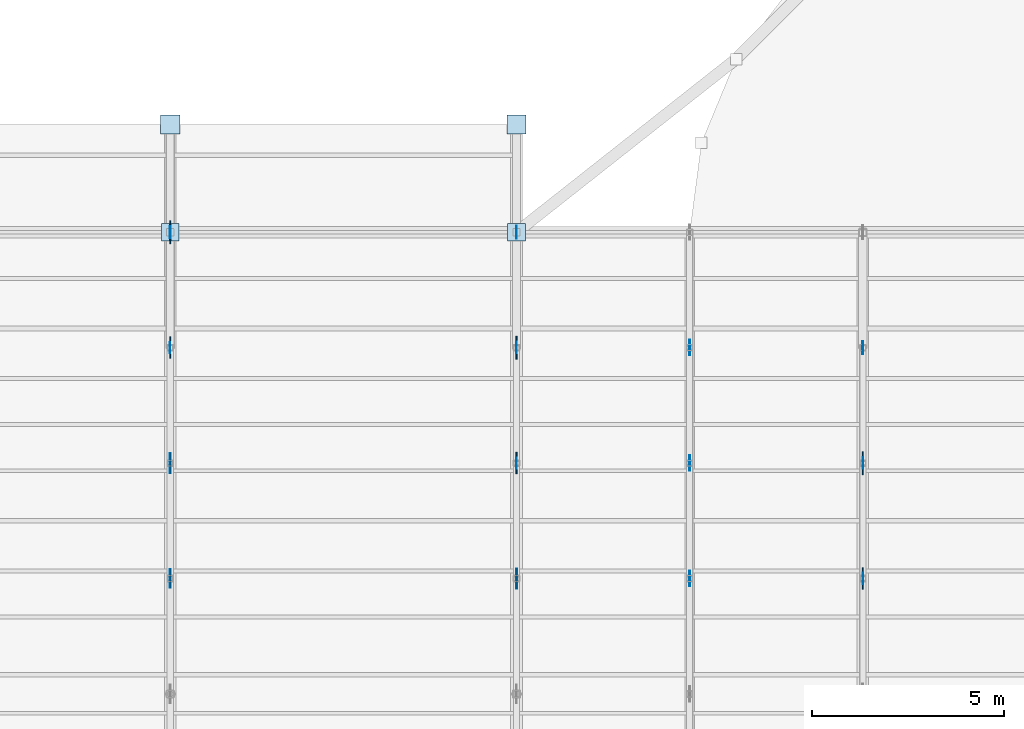
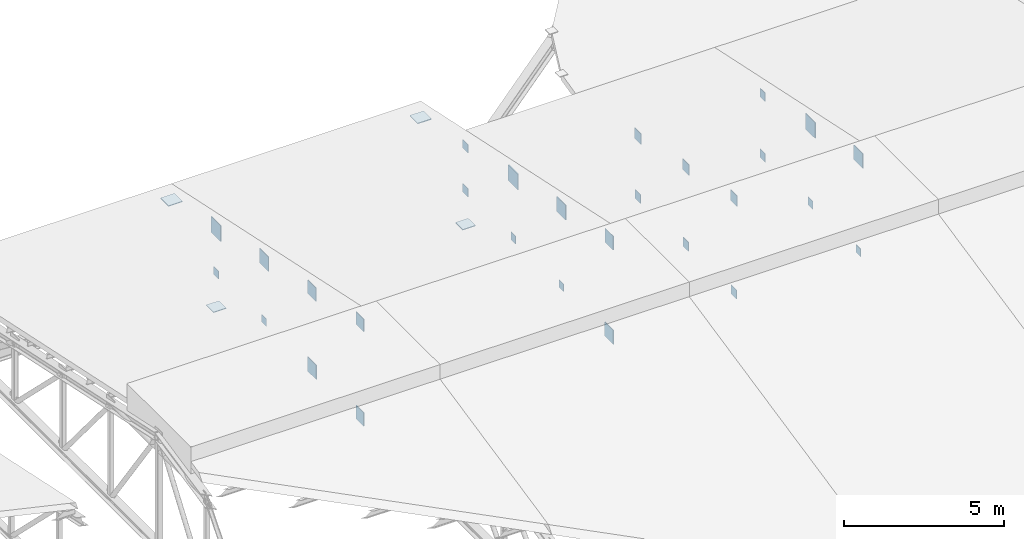
# One storey, part 38 of 43: 32 plates.
"""IFC4 building model written with IfcOpenShell, lengths in metres."""

from ifc_helpers import new_model, si_unit, direction, frame, origin, origin_2d, place, context, subcontext, project, spatial, rectangle, extrude, material, layer, layer_set, type_object, element, save


model = new_model("IFC4")

# Units and contexts
model_context = context("Model", 3, precision=1e-05, world=origin(), true_north=direction((0.0, 1.0)))
body_context = subcontext(model_context, "Body", "Model", "MODEL_VIEW")
ifc_project = project(units=[si_unit("LENGTHUNIT", "METRE"), si_unit("AREAUNIT", "SQUARE_METRE"), si_unit("VOLUMEUNIT", "CUBIC_METRE"), si_unit("PLANEANGLEUNIT", "RADIAN"), si_unit("MASSUNIT", "GRAM", prefix="KILO")], contexts=[model_context])

# Site, building, storey
site_placement = place(None, origin())
site = spatial("IfcSite", under=ifc_project, at=site_placement, CompositionType="ELEMENT")
building_placement = place(site_placement, origin())
building = spatial("IfcBuilding", under=site, at=building_placement, Name="Serraforn Aerial Cableway Station", CompositionType="ELEMENT")
storey_placement = place(building_placement, frame((0.0, 0.0, 18.300048828125)))
storey = spatial("IfcBuildingStorey", under=building, at=storey_placement, Name="RF", CompositionType="ELEMENT", Elevation=18.300048828125)

# Plates
ifc_material = material(Name="Steel S355J2", Category="steel")
ifc_layer_1 = layer(ifc_material, 0.014892578125)
ifc_layer_set_1 = layer_set([ifc_layer_1], Name="Steel S355J2")
plate_type_1 = type_object("IfcPlateType", Name="PLT-CAP-15", PredefinedType="USERDEFINED", material=ifc_layer_set_1)
for number, where, z_axis, x_axis, name in (
    (1, (36.60009765625, 39.0, -1.4951171875), (0.0, 0.0, 1.0), (1.0, 0.0, 0.0), "Truss Bottom Node Cap TR-02-8"),
    (2, (45.60009765625, 36.0, -1.4951171875), (0.0, 0.0, 1.0), (1.0, 0.0, 0.0), "Truss Bottom Node Cap TR-03-7"),
    (3, (54.60009765625, 33.0, -1.4951171875), (0.0, 0.0, 1.0), (1.0, 0.0, 0.0), "Truss Bottom Node Cap TR-04-6"),
):
    element("IfcPlate", number, at=place(storey_placement, frame(where, z_axis=z_axis, x_axis=x_axis)), inside=storey, type_object=plate_type_1, Name=name, ObjectType="CAP PLATE", PredefinedType="USERDEFINED", context=body_context, shape_type="SweptSolid", body=[
        extrude(rectangle(XDim=0.014892578125, YDim=0.2900390625, at=origin_2d()), origin(), (0.0, 0.0, 1.0), 0.2900390625),
    ])
ifc_layer_2 = layer(ifc_material, 0.01611328125)
ifc_layer_set_2 = layer_set([ifc_layer_2], Name="Steel S355J2")
plate_type_2 = type_object("IfcPlateType", Name="PLT-CAP-16", PredefinedType="USERDEFINED", material=ifc_layer_set_2)
for number, where, z_axis, x_axis, name in (
    (4, (36.60009765625, 42.0, -1.5), (0.0, 0.0, 1.0), (1.0, 0.0, 0.0), "Truss Bottom Node Cap TR-02-9"),
    (5, (45.60009765625, 39.0, -1.5), (0.0, 0.0, 1.0), (1.0, 0.0, 0.0), "Truss Bottom Node Cap TR-03-8"),
    (6, (54.60009765625, 36.0, -1.5), (0.0, 0.0, 1.0), (1.0, 0.0, 0.0), "Truss Bottom Node Cap TR-04-7"),
):
    element("IfcPlate", number, at=place(storey_placement, frame(where, z_axis=z_axis, x_axis=x_axis)), inside=storey, type_object=plate_type_2, Name=name, ObjectType="CAP PLATE", PredefinedType="USERDEFINED", context=body_context, shape_type="SweptSolid", body=[
        extrude(rectangle(XDim=0.01611328125, YDim=0.300048828125, at=origin_2d()), origin(), (0.0, 0.0, 1.0), 0.300048828125),
    ])
ifc_layer_3 = layer(ifc_material, 0.01708984375)
ifc_layer_set_3 = layer_set([ifc_layer_3], Name="Steel S355J2")
plate_type_3 = type_object("IfcPlateType", Name="PLT-CAP-17", PredefinedType="USERDEFINED", material=ifc_layer_set_3)
for number, where, z_axis, x_axis, name in (
    (7, (45.60009765625, 42.0, -1.51513671875), (0.0, 0.0, 1.0), (1.0, 0.0, 0.0), "Truss Bottom Node Cap TR-03-9"),
    (8, (54.60009765625, 39.0, -1.51513671875), (0.0, 0.0, 1.0), (1.0, 0.0, 0.0), "Truss Bottom Node Cap TR-04-8"),
):
    element("IfcPlate", number, at=place(storey_placement, frame(where, z_axis=z_axis, x_axis=x_axis)), inside=storey, type_object=plate_type_3, Name=name, ObjectType="CAP PLATE", PredefinedType="USERDEFINED", context=body_context, shape_type="SweptSolid", body=[
        extrude(rectangle(XDim=0.01708984375, YDim=0.330078125, at=origin_2d()), origin(), (0.0, 0.0, 1.0), 0.330078125),
    ])
ifc_layer_4 = layer(ifc_material, 0.01806640625)
ifc_layer_set_4 = layer_set([ifc_layer_4], Name="Steel S355J2")
plate_type_4 = type_object("IfcPlateType", Name="PLT-CAP-18", PredefinedType="USERDEFINED", material=ifc_layer_set_4)
for number, where, z_axis, x_axis, name in (
    (9, (50.10009765625, 33.0, -1.52001953125), (0.0, 0.0, 1.0), (1.0, 0.0, 0.0), "Intermediate Truss Bottom Cap TRM-03-6"),
    (10, (50.10009765625, 36.0, -1.52001953125), (0.0, 0.0, 1.0), (1.0, 0.0, 0.0), "Intermediate Truss Bottom Cap TRM-03-7"),
    (11, (50.10009765625, 39.0, -1.52001953125), (0.0, 0.0, 1.0), (1.0, 0.0, 0.0), "Intermediate Truss Bottom Cap TRM-03-8"),
):
    element("IfcPlate", number, at=place(storey_placement, frame(where, z_axis=z_axis, x_axis=x_axis)), inside=storey, type_object=plate_type_4, Name=name, ObjectType="CAP PLATE", PredefinedType="USERDEFINED", context=body_context, shape_type="SweptSolid", body=[
        extrude(rectangle(XDim=0.01806640625, YDim=0.340087890625, at=origin_2d()), origin(), (0.0, 0.0, 1.0), 0.340087890625),
    ])
ifc_layer_5 = layer(ifc_material, 0.02392578125)
ifc_layer_set_5 = layer_set([ifc_layer_5], Name="Steel S355J2")
plate_type_5 = type_object("IfcPlateType", Name="PLT-CAP-24", PredefinedType="USERDEFINED", material=ifc_layer_set_5)
for number, where, z_axis, x_axis, name in (
    (12, (36.60009765625, 42.0, -2.662109375), (0.0, 0.0, 1.0), (1.0, 0.0, 0.0), "Truss Eave Column Gusset TR-02-EN"),
    (13, (45.60009765625, 42.0, -2.662109375), (0.0, 0.0, 1.0), (1.0, 0.0, 0.0), "Truss Eave Column Gusset TR-03-EN"),
):
    element("IfcPlate", number, at=place(storey_placement, frame(where, z_axis=z_axis, x_axis=x_axis)), inside=storey, type_object=plate_type_5, Name=name, ObjectType="CAP PLATE", PredefinedType="USERDEFINED", context=body_context, shape_type="SweptSolid", body=[
        extrude(rectangle(XDim=0.4599609375, YDim=0.4599609375, at=origin_2d()), origin(), (0.0, 0.0, 1.0), 0.02392578125),
    ])
ifc_layer_6 = layer(ifc_material, 0.028076171875)
ifc_layer_set_6 = layer_set([ifc_layer_6], Name="Steel S355J2")
plate_type_6 = type_object("IfcPlateType", Name="PLT-CAP-28", PredefinedType="USERDEFINED", material=ifc_layer_set_6)
plate_1_placement = place(storey_placement, frame((36.60009765625, 33.0, -1.60009765625), z_axis=(0.0, 0.0, 1.0), x_axis=(1.0, 0.0, 0.0)))
element("IfcPlate", 14, at=plate_1_placement, inside=storey, type_object=plate_type_6, Name="Truss Bottom Node Cap TR-02-6", ObjectType="CAP PLATE", PredefinedType="USERDEFINED", context=body_context, shape_type="SweptSolid", body=[
    extrude(rectangle(XDim=0.028076171875, YDim=0.5, at=origin_2d()), origin(), (0.0, 0.0, 1.0), 0.5),
])
for number, where, z_axis, x_axis, name in (
    (15, (36.60009765625, 44.800048828125, -0.2841796875), (0.0, 0.0, 1.0), (1.0, 0.0, 0.0), "Truss Eave Tip Cap Plate TR-02-EN"),
    (16, (45.60009765625, 44.800048828125, -0.2841796875), (0.0, 0.0, 1.0), (1.0, 0.0, 0.0), "Truss Eave Tip Cap Plate TR-03-EN"),
):
    element("IfcPlate", number, at=place(storey_placement, frame(where, z_axis=z_axis, x_axis=x_axis)), inside=storey, type_object=plate_type_6, Name=name, ObjectType="CAP PLATE", PredefinedType="USERDEFINED", context=body_context, shape_type="SweptSolid", body=[
        extrude(rectangle(XDim=0.5, YDim=0.5, at=origin_2d()), origin(), (0.0, 0.0, 1.0), 0.028076171875),
    ])
ifc_layer_7 = layer(ifc_material, 0.031982421875)
ifc_layer_set_7 = layer_set([ifc_layer_7], Name="Steel S355J2")
plate_type_7 = type_object("IfcPlateType", Name="PLT-CAP-32", PredefinedType="USERDEFINED", material=ifc_layer_set_7)
for number, where, z_axis, x_axis, name in (
    (17, (36.60009765625, 36.0, -1.6201171875), (0.0, 0.0, 1.0), (1.0, 0.0, 0.0), "Truss Bottom Node Cap TR-02-7"),
    (18, (45.60009765625, 33.0, -1.6201171875), (0.0, 0.0, 1.0), (1.0, 0.0, 0.0), "Truss Bottom Node Cap TR-03-6"),
):
    element("IfcPlate", number, at=place(storey_placement, frame(where, z_axis=z_axis, x_axis=x_axis)), inside=storey, type_object=plate_type_7, Name=name, ObjectType="CAP PLATE", PredefinedType="USERDEFINED", context=body_context, shape_type="SweptSolid", body=[
        extrude(rectangle(XDim=0.031982421875, YDim=0.5400390625, at=origin_2d()), origin(), (0.0, 0.0, 1.0), 0.5400390625),
    ])
ifc_layer_8 = layer(ifc_material, 0.014892578125)
ifc_layer_set_8 = layer_set([ifc_layer_8], Name="Steel S355J2")
plate_type_8 = type_object("IfcPlateType", Name="PLT-GUS-15", PredefinedType="USERDEFINED", material=ifc_layer_set_8)
for number, where, z_axis, x_axis, name in (
    (19, (45.60009765625, 42.0, 0.16015625), (0.0, 0.0, 1.0), (1.0, 0.0, 0.0), "Truss Top Node Gusset TR-03-9"),
    (20, (54.60009765625, 39.0, 0.7978515625), (0.0, 0.0, 1.0), (1.0, 0.0, 0.0), "Truss Top Node Gusset TR-04-8"),
):
    element("IfcPlate", number, at=place(storey_placement, frame(where, z_axis=z_axis, x_axis=x_axis)), inside=storey, type_object=plate_type_8, Name=name, ObjectType="GUSSET PLATE", PredefinedType="USERDEFINED", context=body_context, shape_type="SweptSolid", body=[
        extrude(rectangle(XDim=0.014892578125, YDim=0.330078125, at=origin_2d()), origin(), (0.0, 0.0, 1.0), 0.330078125),
    ])
ifc_layer_9 = layer(ifc_material, 0.02001953125)
ifc_layer_set_9 = layer_set([ifc_layer_9], Name="Steel S355J2")
plate_type_9 = type_object("IfcPlateType", Name="PLT-GUS-20", PredefinedType="USERDEFINED", material=ifc_layer_set_9)
for number, where, z_axis, x_axis, name in (
    (21, (50.10009765625, 33.0, 2.038330078125), (0.0, 0.0, 1.0), (1.0, 0.0, 0.0), "Intermediate Truss Top Gusset TRM-03-6"),
    (22, (50.10009765625, 36.0, 1.400634765625), (0.0, 0.0, 1.0), (1.0, 0.0, 0.0), "Intermediate Truss Top Gusset TRM-03-7"),
    (23, (50.10009765625, 39.0, 0.762939453125), (0.0, 0.0, 1.0), (1.0, 0.0, 0.0), "Intermediate Truss Top Gusset TRM-03-8"),
):
    element("IfcPlate", number, at=place(storey_placement, frame(where, z_axis=z_axis, x_axis=x_axis)), inside=storey, type_object=plate_type_9, Name=name, ObjectType="GUSSET PLATE", PredefinedType="USERDEFINED", context=body_context, shape_type="SweptSolid", body=[
        extrude(rectangle(XDim=0.02001953125, YDim=0.39990234375, at=origin_2d()), origin(), (0.0, 0.0, 1.0), 0.39990234375),
    ])
ifc_layer_10 = layer(ifc_material, 0.02392578125)
ifc_layer_set_10 = layer_set([ifc_layer_10], Name="Steel S355J2")
plate_type_10 = type_object("IfcPlateType", Name="PLT-GUS-24", PredefinedType="USERDEFINED", material=ifc_layer_set_10)
plate_2_placement = place(storey_placement, frame((36.60009765625, 33.0, 1.998291015625), z_axis=(0.0, 0.0, 1.0), x_axis=(1.0, 0.0, 0.0)))
element("IfcPlate", 24, at=plate_2_placement, inside=storey, type_object=plate_type_10, Name="Truss Top Node Gusset TR-02-6", ObjectType="GUSSET PLATE", PredefinedType="USERDEFINED", context=body_context, shape_type="SweptSolid", body=[
    extrude(rectangle(XDim=0.02392578125, YDim=0.47998046875, at=origin_2d()), origin(), (0.0, 0.0, 1.0), 0.47998046875),
])
ifc_layer_11 = layer(ifc_material, 0.02587890625)
ifc_layer_set_11 = layer_set([ifc_layer_11], Name="Steel S355J2")
plate_type_11 = type_object("IfcPlateType", Name="PLT-GUS-26", PredefinedType="USERDEFINED", material=ifc_layer_set_11)
for number, where, z_axis, x_axis, name in (
    (25, (36.60009765625, 36.0, 1.340576171875), (0.0, 0.0, 1.0), (1.0, 0.0, 0.0), "Truss Top Node Gusset TR-02-7"),
    (26, (45.60009765625, 33.0, 1.978271484375), (0.0, 0.0, 1.0), (1.0, 0.0, 0.0), "Truss Top Node Gusset TR-03-6"),
):
    element("IfcPlate", number, at=place(storey_placement, frame(where, z_axis=z_axis, x_axis=x_axis)), inside=storey, type_object=plate_type_11, Name=name, ObjectType="GUSSET PLATE", PredefinedType="USERDEFINED", context=body_context, shape_type="SweptSolid", body=[
        extrude(rectangle(XDim=0.02587890625, YDim=0.52001953125, at=origin_2d()), origin(), (0.0, 0.0, 1.0), 0.52001953125),
    ])
ifc_layer_12 = layer(ifc_material, 0.028076171875)
ifc_layer_set_12 = layer_set([ifc_layer_12], Name="Steel S355J2")
plate_type_12 = type_object("IfcPlateType", Name="PLT-GUS-28", PredefinedType="USERDEFINED", material=ifc_layer_set_12)
for number, where, z_axis, x_axis, name in (
    (27, (36.60009765625, 39.0, 0.682861328125), (0.0, 0.0, 1.0), (1.0, 0.0, 0.0), "Truss Top Node Gusset TR-02-8"),
    (28, (45.60009765625, 36.0, 1.320556640625), (0.0, 0.0, 1.0), (1.0, 0.0, 0.0), "Truss Top Node Gusset TR-03-7"),
    (29, (54.60009765625, 33.0, 1.958251953125), (0.0, 0.0, 1.0), (1.0, 0.0, 0.0), "Truss Top Node Gusset TR-04-6"),
):
    element("IfcPlate", number, at=place(storey_placement, frame(where, z_axis=z_axis, x_axis=x_axis)), inside=storey, type_object=plate_type_12, Name=name, ObjectType="GUSSET PLATE", PredefinedType="USERDEFINED", context=body_context, shape_type="SweptSolid", body=[
        extrude(rectangle(XDim=0.028076171875, YDim=0.56005859375, at=origin_2d()), origin(), (0.0, 0.0, 1.0), 0.56005859375),
    ])
ifc_layer_13 = layer(ifc_material, 0.031982421875)
ifc_layer_set_13 = layer_set([ifc_layer_13], Name="Steel S355J2")
plate_type_13 = type_object("IfcPlateType", Name="PLT-GUS-32", PredefinedType="USERDEFINED", material=ifc_layer_set_13)
for number, where, z_axis, x_axis, name in (
    (30, (36.60009765625, 42.0, 0.025146484375), (0.0, 0.0, 1.0), (1.0, 0.0, 0.0), "Truss Top Node Gusset TR-02-9"),
    (31, (45.60009765625, 39.0, 0.662841796875), (0.0, 0.0, 1.0), (1.0, 0.0, 0.0), "Truss Top Node Gusset TR-03-8"),
    (32, (54.60009765625, 36.0, 1.300537109375), (0.0, 0.0, 1.0), (1.0, 0.0, 0.0), "Truss Top Node Gusset TR-04-7"),
):
    element("IfcPlate", number, at=place(storey_placement, frame(where, z_axis=z_axis, x_axis=x_axis)), inside=storey, type_object=plate_type_13, Name=name, ObjectType="GUSSET PLATE", PredefinedType="USERDEFINED", context=body_context, shape_type="SweptSolid", body=[
        extrude(rectangle(XDim=0.031982421875, YDim=0.60009765625, at=origin_2d()), origin(), (0.0, 0.0, 1.0), 0.60009765625),
    ])

save(model, "model.ifc")
